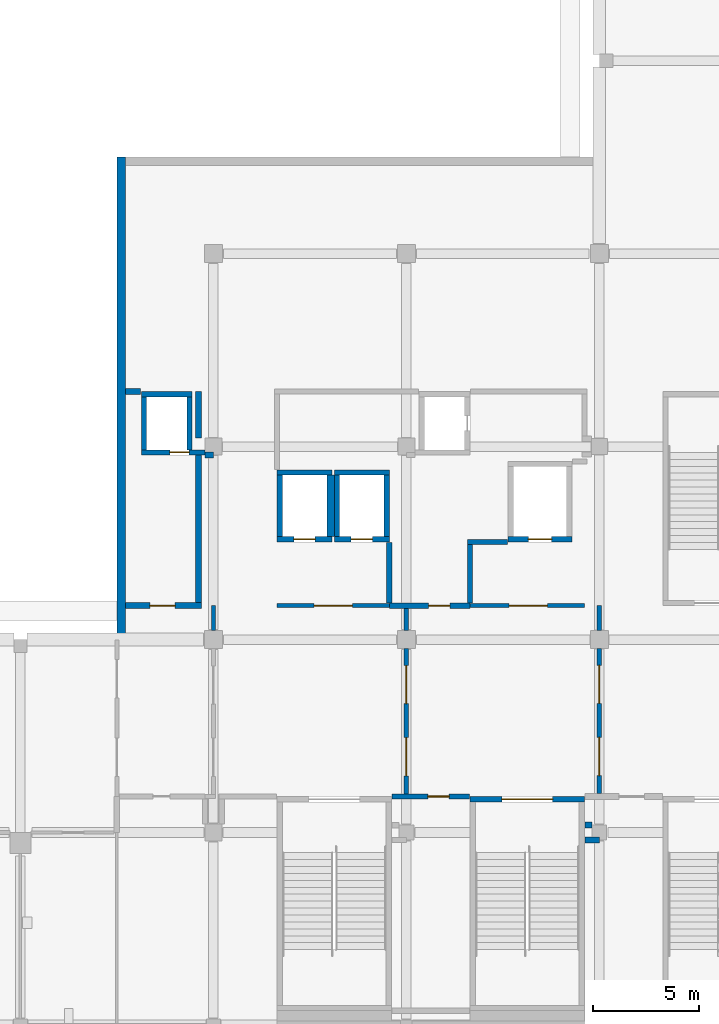
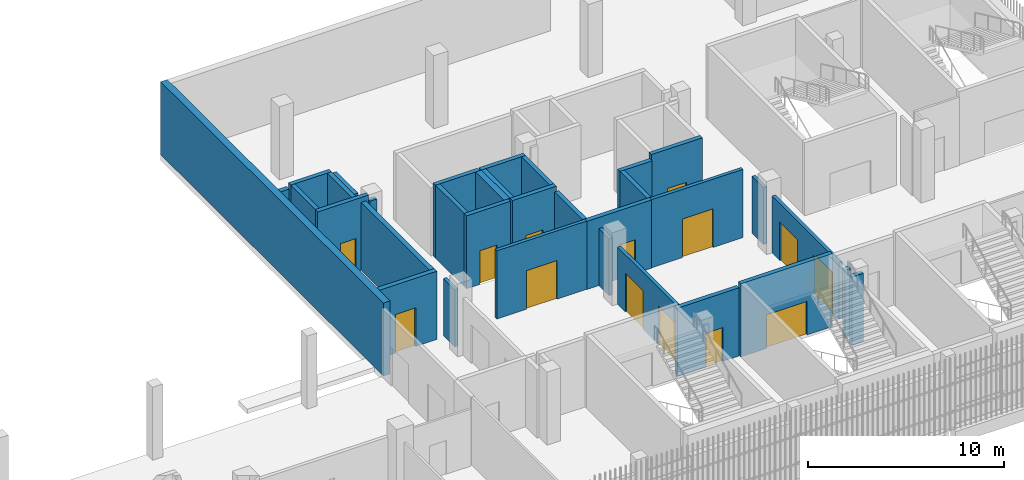
# One storey, part 78 of 126: 34 walls, 14 doors, 14 openings.
"""IFC4 building model written with IfcOpenShell, lengths in metres."""

from ifc_helpers import new_model, si_unit, direction, frame, frame_2d, origin, place, context, subcontext, project, spatial, rectangle, extrude, material, layer, layer_set, type_object, element, fill, save


model = new_model("IFC4")

# Units and contexts
model_context = context("Model", 3, precision=1e-05, world=origin(), true_north=direction((0.0, 1.0)))
body_context = subcontext(model_context, "Body", "Model", "MODEL_VIEW")
ifc_project = project(units=[si_unit("LENGTHUNIT", "METRE"), si_unit("AREAUNIT", "SQUARE_METRE"), si_unit("VOLUMEUNIT", "CUBIC_METRE"), si_unit("PLANEANGLEUNIT", "RADIAN"), si_unit("MASSUNIT", "GRAM", prefix="KILO")], contexts=[model_context])

# Site, building, storey
site_placement = place(None, origin())
site = spatial("IfcSite", under=ifc_project, at=site_placement, CompositionType="ELEMENT")
building_placement = place(site_placement, origin())
building = spatial("IfcBuilding", under=site, at=building_placement, Name="Shirokan Park Arena", CompositionType="ELEMENT")
storey_placement = place(building_placement, frame((0.0, 0.0, 6.3701171875)))
storey = spatial("IfcBuildingStorey", under=building, at=storey_placement, Name="L01", CompositionType="ELEMENT", Elevation=6.3701171875)

# Wall, opening, door
ifc_material_1 = material(Name="Plaster")
ifc_layer_1 = layer(ifc_material_1, 0.014892578125, Name="Plaster")
ifc_material_2 = material(Name="Concrete blockwork", Category="masonry")
ifc_layer_2 = layer(ifc_material_2, 0.219970703125, Name="Concrete blockwork 220")
ifc_layer_3 = layer(ifc_material_1, 0.014892578125, Name="Plaster")
ifc_layer_set_1 = layer_set([ifc_layer_1, ifc_layer_2, ifc_layer_3], Name="Plaster + Concrete blockwork 220")
wall_type_1 = type_object("IfcWallType", Name="Compartment wall 250", PredefinedType="SOLIDWALL", material=ifc_layer_set_1)
wall_1_placement = place(storey_placement, frame((117.5, 19.800048828125, 0.0), z_axis=(0.0, 0.0, 1.0), x_axis=(1.0, 0.0, 0.0)))
wall_1 = element("IfcWall", 1, at=wall_1_placement, inside=storey, type_object=wall_type_1, Name="Compartment wall 250 L01", PredefinedType="SOLIDWALL", context=body_context, shape_type="SweptSolid", body=[
    extrude(rectangle(XDim=3.800048828125, YDim=0.25, at=frame_2d((1.89990234375, 0.0))), origin(), (0.0, 0.0, 1.0), 4.25),
])
opening_1_placement = place(wall_1_placement, frame((1.85009765625, 0.0, 0.0)))
opening_1 = element("IfcOpeningElement", 2, at=opening_1_placement, cuts=wall_1, Name="Opening D-1011", PredefinedType="OPENING", context=body_context, shape_type="SweptSolid", body=[
    extrude(rectangle(XDim=1.0, YDim=2.10009765625, at=frame_2d((0.5, 1.050048828125))), frame((0.0, 0.135009765625, 0.0), z_axis=(0.0, -1.0, 0.0), x_axis=(1.0, 0.0, 0.0)), (0.0, 0.0, 1.0), 0.27001953125),
])
ifc_material_3 = material(Name="Timber door set, fire resisting", Category="wood")
door_type_1 = type_object("IfcDoorType", Name="Door 1000 x 2100", OperationType="SINGLE_SWING_LEFT", PredefinedType="DOOR", material=ifc_material_3)
door_1_placement = place(opening_1_placement, origin())
door_1 = element("IfcDoor", 3, at=door_1_placement, inside=storey, type_object=door_type_1, Name="Door to First Aid Store 1.28 D-1011", OperationType="SINGLE_SWING_LEFT", OverallHeight=2.10009765625, OverallWidth=1.0, PredefinedType="DOOR", context=body_context, shape_type="SweptSolid", body=[
    extrude(rectangle(XDim=1.0, YDim=2.10009765625, at=frame_2d((0.5, 1.050048828125))), frame((0.0, 0.02490234375, 0.0), z_axis=(0.0, -1.0, 0.0), x_axis=(1.0, 0.0, 0.0)), (0.0, 0.0, 1.0), 0.050048828125),
])
fill(opening_1, door_1)

# Wall
wall_2_placement = place(storey_placement, frame((117.5, 19.925048828125, 0.0), z_axis=(0.0, 0.0, 1.0), x_axis=(0.0, 1.0, 0.0)))
element("IfcWall", 4, at=wall_2_placement, inside=storey, type_object=wall_type_1, Name="Compartment wall 250 L01", PredefinedType="SOLIDWALL", context=body_context, shape_type="SweptSolid", body=[
    extrude(rectangle(XDim=2.844970703125, YDim=0.25, at=frame_2d((1.42236328125, 0.0))), origin(), (0.0, 0.0, 1.0), 4.25),
])

# Wall, opening, door
wall_3_placement = place(storey_placement, frame((117.6298828125, 10.800048828125, 0.0), z_axis=(0.0, 0.0, 1.0), x_axis=(1.0, 0.0, 0.0)))
wall_3 = element("IfcWall", 5, at=wall_3_placement, inside=storey, type_object=wall_type_1, Name="Compartment wall 250 L01", PredefinedType="SOLIDWALL", context=body_context, shape_type="SweptSolid", body=[
    extrude(rectangle(XDim=3.64013671875, YDim=0.25, at=frame_2d((1.820068359375, 0.0))), origin(), (0.0, 0.0, 1.0), 4.25),
])
opening_2_placement = place(wall_3_placement, frame((1.68994140625, 0.0, 0.0)))
opening_2 = element("IfcOpeningElement", 6, at=opening_2_placement, cuts=wall_3, Name="Opening D-1015", PredefinedType="OPENING", context=body_context, shape_type="SweptSolid", body=[
    extrude(rectangle(XDim=1.0, YDim=2.10009765625, at=frame_2d((0.5, 1.050048828125))), frame((0.0, 0.135009765625, 0.0), z_axis=(0.0, -1.0, 0.0), x_axis=(1.0, 0.0, 0.0)), (0.0, 0.0, 1.0), 0.27001953125),
])
door_2_placement = place(opening_2_placement, origin())
door_2 = element("IfcDoor", 7, at=door_2_placement, inside=storey, type_object=door_type_1, Name="Door to First Aid Store 1.22 D-1015", OperationType="SINGLE_SWING_RIGHT", OverallHeight=2.10009765625, OverallWidth=1.0, PredefinedType="DOOR", context=body_context, shape_type="SweptSolid", body=[
    extrude(rectangle(XDim=1.0, YDim=2.10009765625, at=frame_2d((0.5, 1.050048828125))), frame((0.0, 0.02490234375, 0.0), z_axis=(0.0, -1.0, 0.0), x_axis=(1.0, 0.0, 0.0)), (0.0, 0.0, 1.0), 0.050048828125),
])
fill(opening_2, door_2)

# Walls
wall_4_placement = place(storey_placement, frame((121.300048828125, 22.675048828125, 0.0), z_axis=(0.0, 0.0, 1.0), x_axis=(0.0, -1.0, 0.0)))
element("IfcWall", 8, at=wall_4_placement, inside=storey, type_object=wall_type_1, Name="Compartment wall 250 L01", PredefinedType="SOLIDWALL", context=body_context, shape_type="SweptSolid", body=[
    extrude(rectangle(XDim=2.75, YDim=0.25, at=frame_2d((1.375, 0.0))), origin(), (0.0, 0.0, 1.0), 4.25),
])
wall_5_placement = place(storey_placement, frame((123.070068359375, 22.800048828125, 0.0), z_axis=(0.0, 0.0, 1.0), x_axis=(-1.0, 0.0, 0.0)))
element("IfcWall", 9, at=wall_5_placement, inside=storey, type_object=wall_type_1, Name="Compartment wall 250 L01", PredefinedType="SOLIDWALL", context=body_context, shape_type="SweptSolid", body=[
    extrude(rectangle(XDim=1.89501953125, YDim=0.25, at=frame_2d((0.947509765625, 0.0))), origin(), (0.0, 0.0, 1.0), 4.25),
])
ifc_material_4 = material(Name="Gypsum board")
ifc_layer_4 = layer(ifc_material_4, 0.02490234375, Name="Gypsum board, two layers")
ifc_material_5 = material(Name="Mineral wool insulation")
ifc_layer_5 = layer(ifc_material_5, 0.14990234375, Name="Mineral wool insulation")
ifc_layer_6 = layer(ifc_material_4, 0.02490234375, Name="Gypsum board, two layers")
ifc_layer_set_2 = layer_set([ifc_layer_4, ifc_layer_5, ifc_layer_6], Name="Gypsum board, two layers + Mineral wool insulation")
wall_type_2 = type_object("IfcWallType", Name="Corridor wall 200", PredefinedType="PARTITIONING", material=ifc_layer_set_2)
wall_6_placement = place(storey_placement, frame((109.199951171875, 18.625, 0.0), z_axis=(0.0, 0.0, 1.0), x_axis=(0.0, 1.0, 0.0)))
element("IfcWall", 10, at=wall_6_placement, inside=storey, type_object=wall_type_2, Name="Corridor wall 200 L01", PredefinedType="PARTITIONING", context=body_context, shape_type="SweptSolid", body=[
    extrude(rectangle(XDim=1.175048828125, YDim=0.199951171875, at=frame_2d((0.58740234375, 0.0))), origin(), (0.0, 0.0, 1.0), 3.5498046875),
])

# Wall, opening, door
wall_7_placement = place(storey_placement, frame((112.199951171875, 19.800048828125, 0.0), z_axis=(0.0, 0.0, 1.0), x_axis=(1.0, 0.0, 0.0)))
wall_7 = element("IfcWall", 11, at=wall_7_placement, inside=storey, type_object=wall_type_2, Name="Corridor wall 200 L01", PredefinedType="PARTITIONING", context=body_context, shape_type="SweptSolid", body=[
    extrude(rectangle(XDim=5.300048828125, YDim=0.199951171875, at=frame_2d((2.64990234375, 0.0))), origin(), (0.0, 0.0, 1.0), 4.25),
])
opening_3_placement = place(wall_7_placement, frame((1.75, 0.0, 0.0)))
opening_3 = element("IfcOpeningElement", 12, at=opening_3_placement, cuts=wall_7, Name="Opening D-1070", PredefinedType="OPENING", context=body_context, shape_type="SweptSolid", body=[
    extrude(rectangle(XDim=1.800048828125, YDim=2.39990234375, at=frame_2d((0.89990234375, 1.199951171875))), frame((0.0, 0.10986328125, 0.0), z_axis=(0.0, -1.0, 0.0), x_axis=(1.0, 0.0, 0.0)), (0.0, 0.0, 1.0), 0.219970703125),
])
ifc_material_6 = material(Name="Glazed steel door set, fire resisting", Category="steel")
door_type_2 = type_object("IfcDoorType", Name="Lift lobby door 1800 x 2400", OperationType="DOUBLE_DOOR_SINGLE_SWING", PredefinedType="DOOR", material=ifc_material_6)
door_3_placement = place(opening_3_placement, origin())
door_3 = element("IfcDoor", 13, at=door_3_placement, inside=storey, type_object=door_type_2, Name="Door between First Aid Lobby 2.1.3 and Lift Lobby 2.1 D-1070", OperationType="DOUBLE_DOOR_SINGLE_SWING", OverallHeight=2.39990234375, OverallWidth=1.800048828125, PredefinedType="DOOR", context=body_context, shape_type="SweptSolid", body=[
    extrude(rectangle(XDim=1.800048828125, YDim=2.39990234375, at=frame_2d((0.89990234375, 1.199951171875))), frame((0.0, 0.02490234375, 0.0), z_axis=(0.0, -1.0, 0.0), x_axis=(1.0, 0.0, 0.0)), (0.0, 0.0, 1.0), 0.050048828125),
])
fill(opening_3, door_3)

# Wall, openings, doors
wall_8_placement = place(storey_placement, frame((118.300048828125, 10.925048828125, 0.0), z_axis=(0.0, 0.0, 1.0), x_axis=(0.0, 1.0, 0.0)))
wall_8 = element("IfcWall", 14, at=wall_8_placement, inside=storey, type_object=wall_type_2, Name="Corridor wall 200 L01", PredefinedType="PARTITIONING", context=body_context, shape_type="SweptSolid", body=[
    extrude(rectangle(XDim=6.849853515625, YDim=0.199951171875, at=frame_2d((3.4248046875, 0.0))), origin(), (0.0, 0.0, 1.0), 3.5498046875),
])
opening_4_placement = place(wall_8_placement, frame((0.85009765625, 0.0, 0.0)))
opening_4 = element("IfcOpeningElement", 15, at=opening_4_placement, cuts=wall_8, Name="Opening D-1065", PredefinedType="OPENING", context=body_context, shape_type="SweptSolid", body=[
    extrude(rectangle(XDim=1.800048828125, YDim=2.39990234375, at=frame_2d((0.89990234375, 1.199951171875))), frame((0.0, 0.10986328125, 0.0), z_axis=(0.0, -1.0, 0.0), x_axis=(1.0, 0.0, 0.0)), (0.0, 0.0, 1.0), 0.219970703125),
])
opening_5_placement = place(wall_8_placement, frame((4.25, 0.0, 0.0)))
opening_5 = element("IfcOpeningElement", 16, at=opening_5_placement, cuts=wall_8, Name="Opening D-1066", PredefinedType="OPENING", context=body_context, shape_type="SweptSolid", body=[
    extrude(rectangle(XDim=1.800048828125, YDim=2.39990234375, at=frame_2d((0.89990234375, 1.199951171875))), frame((0.0, 0.10986328125, 0.0), z_axis=(0.0, -1.0, 0.0), x_axis=(1.0, 0.0, 0.0)), (0.0, 0.0, 1.0), 0.219970703125),
])
door_4_placement = place(opening_4_placement, origin())
door_4 = element("IfcDoor", 17, at=door_4_placement, inside=storey, type_object=door_type_2, Name="Door between Food Court 2.1.2 and First Aid Lobby 2.1.3 D-1065", OperationType="DOUBLE_DOOR_SINGLE_SWING", OverallHeight=2.39990234375, OverallWidth=1.800048828125, PredefinedType="DOOR", context=body_context, shape_type="SweptSolid", body=[
    extrude(rectangle(XDim=1.800048828125, YDim=2.39990234375, at=frame_2d((0.89990234375, 1.199951171875))), frame((0.0, 0.02490234375, 0.0), z_axis=(0.0, -1.0, 0.0), x_axis=(1.0, 0.0, 0.0)), (0.0, 0.0, 1.0), 0.050048828125),
])
fill(opening_4, door_4)
door_5_placement = place(opening_5_placement, origin())
door_5 = element("IfcDoor", 18, at=door_5_placement, inside=storey, type_object=door_type_2, Name="Door between Food Court 2.1.2 and First Aid Lobby 2.1.3 D-1066", OperationType="DOUBLE_DOOR_SINGLE_SWING", OverallHeight=2.39990234375, OverallWidth=1.800048828125, PredefinedType="DOOR", context=body_context, shape_type="SweptSolid", body=[
    extrude(rectangle(XDim=1.800048828125, YDim=2.39990234375, at=frame_2d((0.89990234375, 1.199951171875))), frame((0.0, 0.02490234375, 0.0), z_axis=(0.0, -1.0, 0.0), x_axis=(1.0, 0.0, 0.0)), (0.0, 0.0, 1.0), 0.050048828125),
])
fill(opening_5, door_5)

# Wall
wall_9_placement = place(storey_placement, frame((118.300048828125, 18.625, 0.0), z_axis=(0.0, 0.0, 1.0), x_axis=(0.0, 1.0, 0.0)))
element("IfcWall", 19, at=wall_9_placement, inside=storey, type_object=wall_type_2, Name="Corridor wall 200 L01", PredefinedType="PARTITIONING", context=body_context, shape_type="SweptSolid", body=[
    extrude(rectangle(XDim=1.050048828125, YDim=0.199951171875, at=frame_2d((0.52490234375, 0.0))), origin(), (0.0, 0.0, 1.0), 3.5498046875),
])

# Wall, opening, door
wall_10_placement = place(storey_placement, frame((121.300048828125, 19.800048828125, 0.0), z_axis=(0.0, 0.0, 1.0), x_axis=(1.0, 0.0, 0.0)))
wall_10 = element("IfcWall", 20, at=wall_10_placement, inside=storey, type_object=wall_type_2, Name="Corridor wall 200 L01", PredefinedType="PARTITIONING", context=body_context, shape_type="SweptSolid", body=[
    extrude(rectangle(XDim=5.39990234375, YDim=0.199951171875, at=frame_2d((2.699951171875, 0.0))), origin(), (0.0, 0.0, 1.0), 4.25),
])
opening_6_placement = place(wall_10_placement, frame((1.85009765625, 0.0, 0.0)))
opening_6 = element("IfcOpeningElement", 21, at=opening_6_placement, cuts=wall_10, Name="Opening D-1067", PredefinedType="OPENING", context=body_context, shape_type="SweptSolid", body=[
    extrude(rectangle(XDim=1.800048828125, YDim=2.39990234375, at=frame_2d((0.89990234375, 1.199951171875))), frame((0.0, 0.10986328125, 0.0), z_axis=(0.0, -1.0, 0.0), x_axis=(1.0, 0.0, 0.0)), (0.0, 0.0, 1.0), 0.219970703125),
])
door_6_placement = place(opening_6_placement, origin())
door_6 = element("IfcDoor", 22, at=door_6_placement, inside=storey, type_object=door_type_2, Name="Door between Food Court 2.1.2 and Service Lift Lobby 2.1 D-1067", OperationType="DOUBLE_DOOR_SINGLE_SWING", OverallHeight=2.39990234375, OverallWidth=1.800048828125, PredefinedType="DOOR", context=body_context, shape_type="SweptSolid", body=[
    extrude(rectangle(XDim=1.800048828125, YDim=2.39990234375, at=frame_2d((0.89990234375, 1.199951171875))), frame((0.0, 0.02490234375, 0.0), z_axis=(0.0, -1.0, 0.0), x_axis=(1.0, 0.0, 0.0)), (0.0, 0.0, 1.0), 0.050048828125),
])
fill(opening_6, door_6)

# Wall, openings, doors
wall_11_placement = place(storey_placement, frame((127.39990234375, 10.9375, 0.0), z_axis=(0.0, 0.0, 1.0), x_axis=(0.0, 1.0, 0.0)))
wall_11 = element("IfcWall", 23, at=wall_11_placement, inside=storey, type_object=wall_type_2, Name="Corridor wall 200 L01", PredefinedType="PARTITIONING", context=body_context, shape_type="SweptSolid", body=[
    extrude(rectangle(XDim=6.83740234375, YDim=0.199951171875, at=frame_2d((3.418701171875, 0.0))), origin(), (0.0, 0.0, 1.0), 3.5498046875),
])
opening_7_placement = place(wall_11_placement, frame((0.85009765625, 0.0, 0.0)))
opening_7 = element("IfcOpeningElement", 24, at=opening_7_placement, cuts=wall_11, Name="Opening D-1063", PredefinedType="OPENING", context=body_context, shape_type="SweptSolid", body=[
    extrude(rectangle(XDim=1.800048828125, YDim=2.39990234375, at=frame_2d((0.89990234375, 1.199951171875))), frame((0.0, 0.10986328125, 0.0), z_axis=(0.0, -1.0, 0.0), x_axis=(1.0, 0.0, 0.0)), (0.0, 0.0, 1.0), 0.219970703125),
])
opening_8_placement = place(wall_11_placement, frame((4.25, 0.0, 0.0)))
opening_8 = element("IfcOpeningElement", 25, at=opening_8_placement, cuts=wall_11, Name="Opening D-1064", PredefinedType="OPENING", context=body_context, shape_type="SweptSolid", body=[
    extrude(rectangle(XDim=1.800048828125, YDim=2.39990234375, at=frame_2d((0.89990234375, 1.199951171875))), frame((0.0, 0.10986328125, 0.0), z_axis=(0.0, -1.0, 0.0), x_axis=(1.0, 0.0, 0.0)), (0.0, 0.0, 1.0), 0.219970703125),
])
door_7_placement = place(opening_7_placement, origin())
door_7 = element("IfcDoor", 26, at=door_7_placement, inside=storey, type_object=door_type_2, Name="Door between Stair Lobby 2.1.1 and Food Court 2.1.2 D-1063", OperationType="DOUBLE_DOOR_SINGLE_SWING", OverallHeight=2.39990234375, OverallWidth=1.800048828125, PredefinedType="DOOR", context=body_context, shape_type="SweptSolid", body=[
    extrude(rectangle(XDim=1.800048828125, YDim=2.39990234375, at=frame_2d((0.89990234375, 1.199951171875))), frame((0.0, 0.02490234375, 0.0), z_axis=(0.0, -1.0, 0.0), x_axis=(1.0, 0.0, 0.0)), (0.0, 0.0, 1.0), 0.050048828125),
])
fill(opening_7, door_7)
door_8_placement = place(opening_8_placement, origin())
door_8 = element("IfcDoor", 27, at=door_8_placement, inside=storey, type_object=door_type_2, Name="Door between Stair Lobby 2.1.1 and Food Court 2.1.2 D-1064", OperationType="DOUBLE_DOOR_SINGLE_SWING", OverallHeight=2.39990234375, OverallWidth=1.800048828125, PredefinedType="DOOR", context=body_context, shape_type="SweptSolid", body=[
    extrude(rectangle(XDim=1.800048828125, YDim=2.39990234375, at=frame_2d((0.89990234375, 1.199951171875))), frame((0.0, 0.02490234375, 0.0), z_axis=(0.0, -1.0, 0.0), x_axis=(1.0, 0.0, 0.0)), (0.0, 0.0, 1.0), 0.050048828125),
])
fill(opening_8, door_8)

# Wall
wall_12_placement = place(storey_placement, frame((127.39990234375, 18.625, 0.0), z_axis=(0.0, 0.0, 1.0), x_axis=(0.0, 1.0, 0.0)))
element("IfcWall", 28, at=wall_12_placement, inside=storey, type_object=wall_type_2, Name="Corridor wall 200 L01", PredefinedType="PARTITIONING", context=body_context, shape_type="SweptSolid", body=[
    extrude(rectangle(XDim=1.175048828125, YDim=0.199951171875, at=frame_2d((0.58740234375, 0.0))), origin(), (0.0, 0.0, 1.0), 3.5498046875),
])

# Wall, opening, door
ifc_layer_7 = layer(ifc_material_1, 0.012451171875, Name="Plaster")
ifc_layer_8 = layer(ifc_material_2, 0.25, Name="Concrete blockwork 250")
ifc_layer_9 = layer(ifc_material_1, 0.012451171875, Name="Plaster")
ifc_layer_set_3 = layer_set([ifc_layer_7, ifc_layer_8, ifc_layer_9], Name="Plaster + Concrete blockwork 250")
wall_type_3 = type_object("IfcWallType", Name="Plant room wall 275", PredefinedType="SOLIDWALL", material=ifc_layer_set_3)
wall_13_placement = place(storey_placement, frame((105.050048828125, 19.800048828125, 0.0), z_axis=(0.0, 0.0, 1.0), x_axis=(1.0, 0.0, 0.0)))
wall_13 = element("IfcWall", 29, at=wall_13_placement, inside=storey, type_object=wall_type_3, Name="Plant room wall 275 L01", PredefinedType="SOLIDWALL", context=body_context, shape_type="SweptSolid", body=[
    extrude(rectangle(XDim=3.58740234375, YDim=0.27490234375, at=frame_2d((1.793701171875, 0.0))), origin(), (0.0, 0.0, 1.0), 4.25),
])
opening_9_placement = place(wall_13_placement, frame((1.14990234375, 0.0, 0.0)))
opening_9 = element("IfcOpeningElement", 30, at=opening_9_placement, cuts=wall_13, Name="Opening D-1012", PredefinedType="OPENING", context=body_context, shape_type="SweptSolid", body=[
    extrude(rectangle(XDim=1.199951171875, YDim=2.39990234375, at=frame_2d((0.60009765625, 1.199951171875))), frame((0.0, 0.1474609375, 0.0), z_axis=(0.0, -1.0, 0.0), x_axis=(1.0, 0.0, 0.0)), (0.0, 0.0, 1.0), 0.294921875),
])
ifc_material_7 = material(Name="Louvred steel door set, fire resisting", Category="steel")
door_type_3 = type_object("IfcDoorType", Name="Plant room door 1200 x 2400", OperationType="SINGLE_SWING_LEFT", PredefinedType="DOOR", material=ifc_material_7)
door_9_placement = place(opening_9_placement, origin())
door_9 = element("IfcDoor", 31, at=door_9_placement, inside=storey, type_object=door_type_3, Name="Door to Electrical Room 1.29 D-1012", OperationType="SINGLE_SWING_RIGHT", OverallHeight=2.39990234375, OverallWidth=1.199951171875, PredefinedType="DOOR", context=body_context, shape_type="SweptSolid", body=[
    extrude(rectangle(XDim=1.199951171875, YDim=2.39990234375, at=frame_2d((0.60009765625, 1.199951171875))), frame((0.0, 0.02490234375, 0.0), z_axis=(0.0, -1.0, 0.0), x_axis=(1.0, 0.0, 0.0)), (0.0, 0.0, 1.0), 0.050048828125),
])
fill(opening_9, door_9)

# Walls
wall_14_placement = place(storey_placement, frame((105.050048828125, 29.89990234375, 0.0), z_axis=(0.0, 0.0, 1.0), x_axis=(1.0, 0.0, 0.0)))
element("IfcWall", 32, at=wall_14_placement, inside=storey, type_object=wall_type_3, Name="Plant room wall 275 L01", PredefinedType="SOLIDWALL", context=body_context, shape_type="SweptSolid", body=[
    extrude(rectangle(XDim=0.719970703125, YDim=0.27490234375, at=frame_2d((0.35986328125, 0.0))), origin(), (0.0, 0.0, 1.0), 4.25),
])
wall_15_placement = place(storey_placement, frame((108.5, 19.9375, 0.0), z_axis=(0.0, 0.0, 1.0), x_axis=(0.0, 1.0, 0.0)))
element("IfcWall", 33, at=wall_15_placement, inside=storey, type_object=wall_type_3, Name="Plant room wall 275 L01", PredefinedType="SOLIDWALL", context=body_context, shape_type="SweptSolid", body=[
    extrude(rectangle(XDim=6.96240234375, YDim=0.27490234375, at=frame_2d((3.481201171875, 0.0))), origin(), (0.0, 0.0, 1.0), 4.25),
])
wall_16_placement = place(storey_placement, frame((108.5, 27.699951171875, 0.0), z_axis=(0.0, 0.0, 1.0), x_axis=(0.0, 1.0, 0.0)))
element("IfcWall", 34, at=wall_16_placement, inside=storey, type_object=wall_type_3, Name="Plant room wall 275 L01", PredefinedType="SOLIDWALL", context=body_context, shape_type="SweptSolid", body=[
    extrude(rectangle(XDim=2.199951171875, YDim=0.27490234375, at=frame_2d((1.10009765625, 0.0))), origin(), (0.0, 0.0, 1.0), 4.25),
])
wall_17_placement = place(storey_placement, frame((108.800048828125, 26.89990234375, 0.0), z_axis=(0.0, 0.0, 1.0), x_axis=(1.0, 0.0, 0.0)))
element("IfcWall", 35, at=wall_17_placement, inside=storey, type_object=wall_type_3, Name="Plant room wall 275 L01", PredefinedType="SOLIDWALL", context=body_context, shape_type="SweptSolid", body=[
    extrude(rectangle(XDim=0.39990234375, YDim=0.27490234375, at=frame_2d((0.199951171875, 0.0))), origin(), (0.0, 0.0, 1.0), 4.25),
])
wall_18_placement = place(storey_placement, frame((126.72998046875, 8.75, 0.0), z_axis=(0.0, 0.0, 1.0), x_axis=(1.0, 0.0, 0.0)))
element("IfcWall", 36, at=wall_18_placement, inside=storey, type_object=wall_type_3, Name="Plant room wall 275 L01", PredefinedType="SOLIDWALL", context=body_context, shape_type="SweptSolid", body=[
    extrude(rectangle(XDim=0.669921875, YDim=0.27490234375, at=frame_2d((0.3349609375, 0.0))), origin(), (0.0, 0.0, 1.0), 4.25),
])
wall_19_placement = place(storey_placement, frame((127.050048828125, 9.449951171875, 0.0), z_axis=(0.0, 0.0, 1.0), x_axis=(-1.0, 0.0, 0.0)))
element("IfcWall", 37, at=wall_19_placement, inside=storey, type_object=wall_type_3, Name="Plant room wall 275 L01", PredefinedType="SOLIDWALL", context=body_context, shape_type="SweptSolid", body=[
    extrude(rectangle(XDim=0.320068359375, YDim=0.27490234375, at=frame_2d((0.16015625, 0.0))), origin(), (0.0, 0.0, 1.0), 4.25),
])
ifc_material_8 = material(Name="Concrete C35", Category="concrete")
ifc_layer_10 = layer(ifc_material_8, 0.39990234375)
ifc_layer_set_4 = layer_set([ifc_layer_10], Name="Concrete C35 400 mm")
wall_type_4 = type_object("IfcWallType", Name="RC flank wall 400", PredefinedType="SHEAR", material=ifc_layer_set_4)
wall_20_placement = place(storey_placement, frame((104.85009765625, 40.949951171875, 0.0), z_axis=(0.0, 0.0, 1.0), x_axis=(0.0, -1.0, 0.0)))
element("IfcWall", 38, at=wall_20_placement, inside=storey, type_object=wall_type_4, Name="Flank wall S2 L01", PredefinedType="SHEAR", context=body_context, shape_type="SweptSolid", body=[
    extrude(rectangle(XDim=22.75, YDim=0.39990234375, at=frame_2d((11.375, 0.0))), origin(), (0.0, 0.0, 1.0), 4.5498046875),
])

# Wall, opening, door
ifc_material_9 = material(Name="Concrete C40/50", Category="concrete")
ifc_layer_11 = layer(ifc_material_9, 0.25)
ifc_layer_set_5 = layer_set([ifc_layer_11], Name="Concrete C40/50 250 mm")
wall_type_5 = type_object("IfcWallType", Name="RC shear wall 250", PredefinedType="SHEAR", material=ifc_layer_set_5)
wall_21_placement = place(storey_placement, frame((117.5, 22.925048828125, 0.0), z_axis=(0.0, 0.0, 1.0), x_axis=(-1.0, 0.0, 0.0)))
wall_21 = element("IfcWall", 39, at=wall_21_placement, inside=storey, type_object=wall_type_5, Name="Shaft wall Passenger Lift 2.1 S L01", PredefinedType="SHEAR", context=body_context, shape_type="SweptSolid", body=[
    extrude(rectangle(XDim=2.60009765625, YDim=0.25, at=frame_2d((1.300048828125, 0.0))), origin(), (0.0, 0.0, 1.0), 4.5498046875),
])
opening_10_placement = place(wall_21_placement, frame((0.800048828125, 0.0, 0.0)))
opening_10 = element("IfcOpeningElement", 40, at=opening_10_placement, cuts=wall_21, Name="Opening LD14", PredefinedType="OPENING", context=body_context, shape_type="SweptSolid", body=[
    extrude(rectangle(XDim=1.0, YDim=2.10009765625, at=frame_2d((0.5, 1.050048828125))), frame((0.0, 0.135009765625, 0.0), z_axis=(0.0, -1.0, 0.0), x_axis=(1.0, 0.0, 0.0)), (0.0, 0.0, 1.0), 0.27001953125),
])
ifc_material_10 = material(Name="Stainless steel", Category="steel")
door_type_4 = type_object("IfcDoorType", Name="Lift landing door 1000x2100", OperationType="DOUBLE_DOOR_SLIDING", PredefinedType="DOOR", material=ifc_material_10)
door_10_placement = place(opening_10_placement, origin())
door_10 = element("IfcDoor", 41, at=door_10_placement, inside=storey, type_object=door_type_4, Name="Lift landing door Passenger Lift 2.1 L01", OperationType="DOUBLE_DOOR_SLIDING", OverallHeight=2.10009765625, OverallWidth=1.0, PredefinedType="DOOR", context=body_context, shape_type="SweptSolid", body=[
    extrude(rectangle(XDim=1.0, YDim=2.10009765625, at=frame_2d((0.5, 1.050048828125))), frame((0.0, 0.02490234375, 0.0), z_axis=(0.0, -1.0, 0.0), x_axis=(1.0, 0.0, 0.0)), (0.0, 0.0, 1.0), 0.050048828125),
])
fill(opening_10, door_10)

# Walls
wall_22_placement = place(storey_placement, frame((117.5, 26.074951171875, 0.0), z_axis=(0.0, 0.0, 1.0), x_axis=(-1.0, 0.0, 0.0)))
element("IfcWall", 42, at=wall_22_placement, inside=storey, type_object=wall_type_5, Name="Shaft wall Passenger Lift 2.1 N L01", PredefinedType="SHEAR", context=body_context, shape_type="SweptSolid", body=[
    extrude(rectangle(XDim=2.60009765625, YDim=0.25, at=frame_2d((1.300048828125, 0.0))), origin(), (0.0, 0.0, 1.0), 4.5498046875),
])
for number, where, z_axis, x_axis, name in (
    (43, (115.02490234375, 25.949951171875, 0.0), (0.0, 0.0, 1.0), (0.0, -1.0, 0.0), "Shaft wall Passenger Lift 2.1 W L01"),
    (44, (117.375, 25.949951171875, 0.0), (0.0, 0.0, 1.0), (0.0, -1.0, 0.0), "Shaft wall Passenger Lift 2.1 E L01"),
):
    element("IfcWall", number, at=place(storey_placement, frame(where, z_axis=z_axis, x_axis=x_axis)), inside=storey, type_object=wall_type_5, Name=name, PredefinedType="SHEAR", context=body_context, shape_type="SweptSolid", body=[
        extrude(rectangle(XDim=2.89990234375, YDim=0.25, at=frame_2d((1.449951171875, 0.0))), origin(), (0.0, 0.0, 1.0), 4.5498046875),
    ])

# Wall, opening, door
wall_23_placement = place(storey_placement, frame((114.800048828125, 22.925048828125, 0.0), z_axis=(0.0, 0.0, 1.0), x_axis=(-1.0, 0.0, 0.0)))
wall_23 = element("IfcWall", 45, at=wall_23_placement, inside=storey, type_object=wall_type_5, Name="Shaft wall Passenger Lift 2.2 S L01", PredefinedType="SHEAR", context=body_context, shape_type="SweptSolid", body=[
    extrude(rectangle(XDim=2.60009765625, YDim=0.25, at=frame_2d((1.300048828125, 0.0))), origin(), (0.0, 0.0, 1.0), 4.5498046875),
])
opening_11_placement = place(wall_23_placement, frame((0.800048828125, 0.0, 0.0)))
opening_11 = element("IfcOpeningElement", 46, at=opening_11_placement, cuts=wall_23, Name="Opening LD20", PredefinedType="OPENING", context=body_context, shape_type="SweptSolid", body=[
    extrude(rectangle(XDim=1.0, YDim=2.10009765625, at=frame_2d((0.5, 1.050048828125))), frame((0.0, 0.135009765625, 0.0), z_axis=(0.0, -1.0, 0.0), x_axis=(1.0, 0.0, 0.0)), (0.0, 0.0, 1.0), 0.27001953125),
])
door_11_placement = place(opening_11_placement, origin())
door_11 = element("IfcDoor", 47, at=door_11_placement, inside=storey, type_object=door_type_4, Name="Lift landing door Passenger Lift 2.2 L01", OperationType="DOUBLE_DOOR_SLIDING", OverallHeight=2.10009765625, OverallWidth=1.0, PredefinedType="DOOR", context=body_context, shape_type="SweptSolid", body=[
    extrude(rectangle(XDim=1.0, YDim=2.10009765625, at=frame_2d((0.5, 1.050048828125))), frame((0.0, 0.02490234375, 0.0), z_axis=(0.0, -1.0, 0.0), x_axis=(1.0, 0.0, 0.0)), (0.0, 0.0, 1.0), 0.050048828125),
])
fill(opening_11, door_11)

# Walls
wall_24_placement = place(storey_placement, frame((114.800048828125, 26.074951171875, 0.0), z_axis=(0.0, 0.0, 1.0), x_axis=(-1.0, 0.0, 0.0)))
element("IfcWall", 48, at=wall_24_placement, inside=storey, type_object=wall_type_5, Name="Shaft wall Passenger Lift 2.2 N L01", PredefinedType="SHEAR", context=body_context, shape_type="SweptSolid", body=[
    extrude(rectangle(XDim=2.60009765625, YDim=0.25, at=frame_2d((1.300048828125, 0.0))), origin(), (0.0, 0.0, 1.0), 4.5498046875),
])
wall_25_placement = place(storey_placement, frame((112.324951171875, 25.949951171875, 0.0), z_axis=(0.0, 0.0, 1.0), x_axis=(0.0, -1.0, 0.0)))
element("IfcWall", 49, at=wall_25_placement, inside=storey, type_object=wall_type_5, Name="Shaft wall Passenger Lift 2.2 W L01", PredefinedType="SHEAR", context=body_context, shape_type="SweptSolid", body=[
    extrude(rectangle(XDim=2.89990234375, YDim=0.25, at=frame_2d((1.449951171875, 0.0))), origin(), (0.0, 0.0, 1.0), 4.5498046875),
])

# Wall, opening, door
wall_26_placement = place(storey_placement, frame((108.800048828125, 27.02490234375, 0.0), z_axis=(0.0, 0.0, 1.0), x_axis=(-1.0, 0.0, 0.0)))
wall_26 = element("IfcWall", 50, at=wall_26_placement, inside=storey, type_object=wall_type_5, Name="Shaft wall Services Riser 2.1 S L01", PredefinedType="SHEAR", context=body_context, shape_type="SweptSolid", body=[
    extrude(rectangle(XDim=3.0, YDim=0.25, at=frame_2d((1.5, 0.0))), origin(), (0.0, 0.0, 1.0), 4.5498046875),
])
opening_12_placement = place(wall_26_placement, frame((0.75, 0.0, 0.0)))
opening_12 = element("IfcOpeningElement", 51, at=opening_12_placement, cuts=wall_26, Name="Opening D-1097", PredefinedType="OPENING", context=body_context, shape_type="SweptSolid", body=[
    extrude(rectangle(XDim=0.89990234375, YDim=2.10009765625, at=frame_2d((0.449951171875, 1.050048828125))), frame((0.0, 0.135009765625, 0.0), z_axis=(0.0, -1.0, 0.0), x_axis=(1.0, 0.0, 0.0)), (0.0, 0.0, 1.0), 0.27001953125),
])
ifc_material_11 = material(Name="Steel door set, fire resisting", Category="steel")
door_type_5 = type_object("IfcDoorType", Name="Electrical riser door 900 x 2100", OperationType="SINGLE_SWING_LEFT", PredefinedType="DOOR", material=ifc_material_11)
door_12_placement = place(opening_12_placement, origin())
door_12 = element("IfcDoor", 52, at=door_12_placement, inside=storey, type_object=door_type_5, Name="Riser access door Services Riser 2.1 D-1097", OperationType="SINGLE_SWING_LEFT", OverallHeight=2.10009765625, OverallWidth=0.89990234375, PredefinedType="DOOR", context=body_context, shape_type="SweptSolid", body=[
    extrude(rectangle(XDim=0.89990234375, YDim=2.10009765625, at=frame_2d((0.449951171875, 1.050048828125))), frame((0.0, 0.02490234375, 0.0), z_axis=(0.0, -1.0, 0.0), x_axis=(1.0, 0.0, 0.0)), (0.0, 0.0, 1.0), 0.050048828125),
])
fill(opening_12, door_12)

# Walls
wall_27_placement = place(storey_placement, frame((108.199951171875, 29.77490234375, 0.0), z_axis=(0.0, 0.0, 1.0), x_axis=(-1.0, 0.0, 0.0)))
element("IfcWall", 53, at=wall_27_placement, inside=storey, type_object=wall_type_5, Name="Shaft wall Services Riser 2.1 N L01", PredefinedType="SHEAR", context=body_context, shape_type="SweptSolid", body=[
    extrude(rectangle(XDim=2.39990234375, YDim=0.25, at=frame_2d((1.199951171875, 0.0))), origin(), (0.0, 0.0, 1.0), 4.5498046875),
])
for number, where, z_axis, x_axis, name in (
    (54, (105.925048828125, 29.64990234375, 0.0), (0.0, 0.0, 1.0), (0.0, -1.0, 0.0), "Shaft wall Services Riser 2.1 W L01"),
    (55, (108.074951171875, 29.64990234375, 0.0), (0.0, 0.0, 1.0), (0.0, -1.0, 0.0), "Shaft wall Services Riser 2.1 E L01"),
):
    element("IfcWall", number, at=place(storey_placement, frame(where, z_axis=z_axis, x_axis=x_axis)), inside=storey, type_object=wall_type_5, Name=name, PredefinedType="SHEAR", context=body_context, shape_type="SweptSolid", body=[
        extrude(rectangle(XDim=2.5, YDim=0.25, at=frame_2d((1.25, 0.0))), origin(), (0.0, 0.0, 1.0), 4.5498046875),
    ])

# Wall, opening, door
wall_28_placement = place(storey_placement, frame((126.10009765625, 22.925048828125, 0.0), z_axis=(0.0, 0.0, 1.0), x_axis=(-1.0, 0.0, 0.0)))
wall_28 = element("IfcWall", 56, at=wall_28_placement, inside=storey, type_object=wall_type_5, Name="Shaft wall Service Lift 2 S L01", PredefinedType="SHEAR", context=body_context, shape_type="SweptSolid", body=[
    extrude(rectangle(XDim=3.0, YDim=0.25, at=frame_2d((1.5, 0.0))), origin(), (0.0, 0.0, 1.0), 4.5498046875),
])
opening_13_placement = place(wall_28_placement, frame((0.949951171875, 0.0, 0.0)))
opening_13 = element("IfcOpeningElement", 57, at=opening_13_placement, cuts=wall_28, Name="Opening LD57", PredefinedType="OPENING", context=body_context, shape_type="SweptSolid", body=[
    extrude(rectangle(XDim=1.10009765625, YDim=2.10009765625, at=frame_2d((0.550048828125, 1.050048828125))), frame((0.0, 0.135009765625, 0.0), z_axis=(0.0, -1.0, 0.0), x_axis=(1.0, 0.0, 0.0)), (0.0, 0.0, 1.0), 0.27001953125),
])
door_type_6 = type_object("IfcDoorType", Name="Lift landing door 1100x2100", OperationType="DOUBLE_DOOR_SLIDING", PredefinedType="DOOR", material=ifc_material_10)
door_13_placement = place(opening_13_placement, origin())
door_13 = element("IfcDoor", 58, at=door_13_placement, inside=storey, type_object=door_type_6, Name="Lift landing door Service Lift 2 L01", OperationType="DOUBLE_DOOR_SLIDING", OverallHeight=2.10009765625, OverallWidth=1.10009765625, PredefinedType="DOOR", context=body_context, shape_type="SweptSolid", body=[
    extrude(rectangle(XDim=1.10009765625, YDim=2.10009765625, at=frame_2d((0.550048828125, 1.050048828125))), frame((0.0, 0.02490234375, 0.0), z_axis=(0.0, -1.0, 0.0), x_axis=(1.0, 0.0, 0.0)), (0.0, 0.0, 1.0), 0.050048828125),
])
fill(opening_13, door_13)

wall_29_placement = place(storey_placement, frame((126.699951171875, 10.675048828125, 0.0), z_axis=(0.0, 0.0, 1.0), x_axis=(-1.0, 0.0, 0.0)))
wall_29 = element("IfcWall", 59, at=wall_29_placement, inside=storey, type_object=wall_type_5, Name="Shaft wall Exit Stair 2.C N L01", PredefinedType="SHEAR", context=body_context, shape_type="SweptSolid", body=[
    extrude(rectangle(XDim=5.39990234375, YDim=0.25, at=frame_2d((2.699951171875, 0.0))), origin(), (0.0, 0.0, 1.0), 4.5498046875),
])
opening_14_placement = place(wall_29_placement, frame((1.5, 0.0, 0.0)))
opening_14 = element("IfcOpeningElement", 60, at=opening_14_placement, cuts=wall_29, Name="Opening D-1108", PredefinedType="OPENING", context=body_context, shape_type="SweptSolid", body=[
    extrude(rectangle(XDim=2.39990234375, YDim=2.10009765625, at=frame_2d((1.199951171875, 1.050048828125))), frame((0.0, 0.135009765625, 0.0), z_axis=(0.0, -1.0, 0.0), x_axis=(1.0, 0.0, 0.0)), (0.0, 0.0, 1.0), 0.27001953125),
])
door_type_7 = type_object("IfcDoorType", Name="Stair door 2400 x 2100", OperationType="DOUBLE_DOOR_SINGLE_SWING", PredefinedType="DOOR", material=ifc_material_11)
door_14_placement = place(opening_14_placement, origin())
door_14 = element("IfcDoor", 61, at=door_14_placement, inside=storey, type_object=door_type_7, Name="Stair door Exit Stair 2.C D-1108", OperationType="DOUBLE_DOOR_SINGLE_SWING", OverallHeight=2.10009765625, OverallWidth=2.39990234375, PredefinedType="DOOR", context=body_context, shape_type="SweptSolid", body=[
    extrude(rectangle(XDim=2.39990234375, YDim=2.10009765625, at=frame_2d((1.199951171875, 1.050048828125))), frame((0.0, 0.02490234375, 0.0), z_axis=(0.0, -1.0, 0.0), x_axis=(1.0, 0.0, 0.0)), (0.0, 0.0, 1.0), 0.050048828125),
])
fill(opening_14, door_14)

# Wall
ifc_layer_12 = layer(ifc_material_9, 0.35009765625)
ifc_layer_set_6 = layer_set([ifc_layer_12], Name="Concrete C40/50 350 mm")
wall_type_6 = type_object("IfcWallType", Name="RC shear wall 350", PredefinedType="SHEAR", material=ifc_layer_set_6)
wall_30_placement = place(storey_placement, frame((114.72509765625, 25.949951171875, 0.0), z_axis=(0.0, 0.0, 1.0), x_axis=(0.0, -1.0, 0.0)))
element("IfcWall", 62, at=wall_30_placement, inside=storey, type_object=wall_type_6, Name="Shaft wall Passenger Lift 2.2 E L01", PredefinedType="SHEAR", context=body_context, shape_type="SweptSolid", body=[
    extrude(rectangle(XDim=2.89990234375, YDim=0.35009765625, at=frame_2d((1.449951171875, 0.0))), origin(), (0.0, 0.0, 1.0), 4.5498046875),
])

save(model, "model.ifc")
